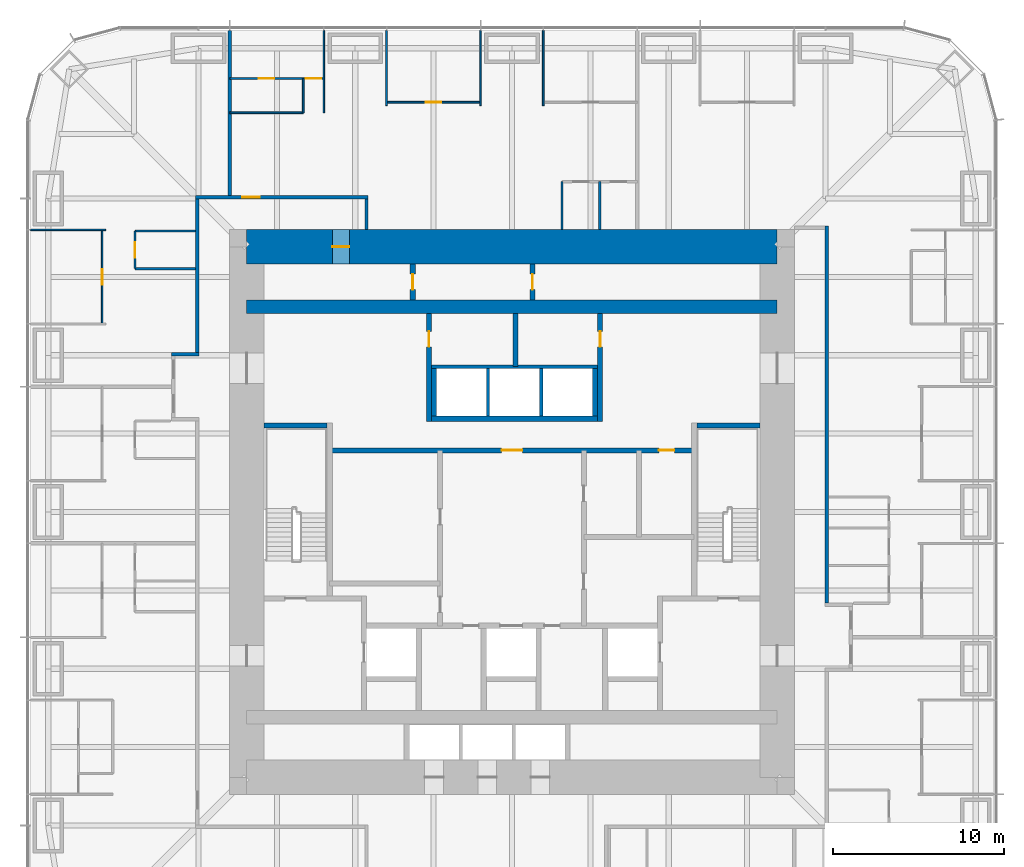
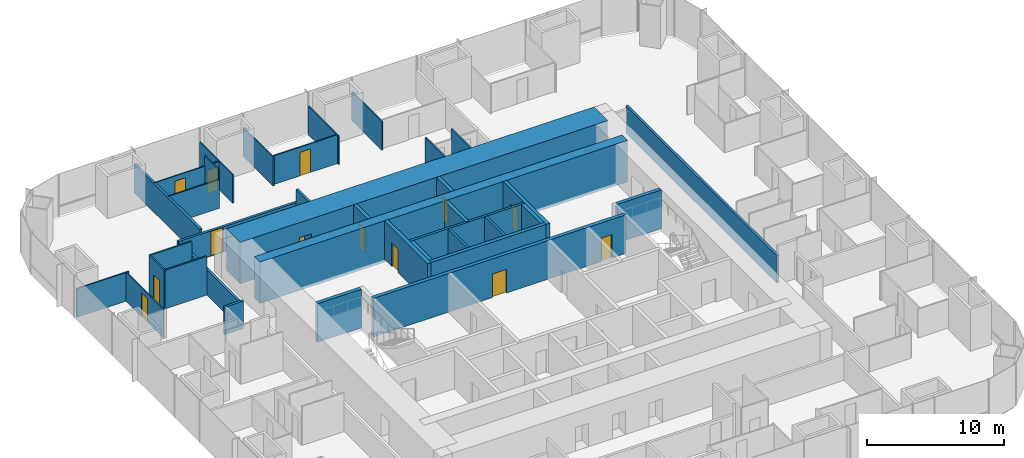
# One storey, part 10 of 12: 37 walls, 13 doors, 13 openings.
"""IFC4 building model written with IfcOpenShell, lengths in metres."""

from ifc_helpers import new_model, si_unit, direction, frame, frame_2d, origin, place, context, subcontext, project, spatial, rectangle, extrude, material, layer, layer_set, type_object, element, fill, save


model = new_model("IFC4")

# Units and contexts
model_context = context("Model", 3, precision=1e-05, world=origin(), true_north=direction((0.0, 1.0)))
body_context = subcontext(model_context, "Body", "Model", "MODEL_VIEW")
ifc_project = project(units=[si_unit("LENGTHUNIT", "METRE"), si_unit("AREAUNIT", "SQUARE_METRE"), si_unit("VOLUMEUNIT", "CUBIC_METRE"), si_unit("PLANEANGLEUNIT", "RADIAN"), si_unit("MASSUNIT", "GRAM", prefix="KILO")], contexts=[model_context])

# Site, building, storey
site_placement = place(None, origin())
site = spatial("IfcSite", under=ifc_project, at=site_placement, CompositionType="ELEMENT")
building_placement = place(site_placement, origin())
building = spatial("IfcBuilding", under=site, at=building_placement, Name="Khuree Lantern Residences", CompositionType="ELEMENT")
storey_placement = place(building_placement, frame((0.0, 0.0, 182.25)))
storey = spatial("IfcBuildingStorey", under=building, at=storey_placement, Name="L46", CompositionType="ELEMENT", Elevation=182.25)

# Walls
ifc_material_1 = material(Name="Moisture-resistant gypsum board on steel studs", Category="steel")
ifc_layer_1 = layer(ifc_material_1, 0.125)
ifc_layer_set_1 = layer_set([ifc_layer_1], Name="BATHROOM WALL BTW125")
wall_type_1 = type_object("IfcWallType", Name="BATHROOM WALL BTW125", PredefinedType="PARTITIONING", material=ifc_layer_set_1)
for number, where, z_axis, x_axis, name in (
    (1, (5.1279296875, 16.5, 0.0), (0.0, 0.0, 1.0), (0.0, 1.0, 0.0), "L46 BATHROOM WALL 02"),
    (2, (2.927978515625, 16.5, 0.0), (0.0, 0.0, 1.0), (0.0, 1.0, 0.0), "L46 BATHROOM WALL 02"),
):
    element("IfcWall", number, at=place(storey_placement, frame(where, z_axis=z_axis, x_axis=x_axis)), inside=storey, type_object=wall_type_1, Name=name, PredefinedType="PARTITIONING", context=body_context, shape_type="SweptSolid", body=[
        extrude(rectangle(XDim=2.800048828125, YDim=0.125, at=frame_2d((1.39990234375, 0.0))), origin(), (0.0, 0.0, 1.0), 3.449951171875),
    ])

# Wall, opening, door
wall_1_placement = place(storey_placement, frame((-22.02978515625, 16.41650390625, 0.0), z_axis=(0.0, 0.0, 1.0), x_axis=(0.0, -1.0, 0.0)))
wall_1 = element("IfcWall", 3, at=wall_1_placement, inside=storey, type_object=wall_type_1, Name="L46 BATHROOM WALL 03", PredefinedType="PARTITIONING", context=body_context, shape_type="SweptSolid", body=[
    extrude(rectangle(XDim=2.199951171875, YDim=0.125, at=frame_2d((1.10009765625, 0.0))), origin(), (0.0, 0.0, 1.0), 3.449951171875),
])
opening_1_placement = place(wall_1_placement, frame((0.64990234375, 0.0, 0.0)))
opening_1 = element("IfcOpeningElement", 4, at=opening_1_placement, cuts=wall_1, Name="Opening 46-043", PredefinedType="OPENING", context=body_context, shape_type="SweptSolid", body=[
    extrude(rectangle(XDim=0.89990234375, YDim=2.10009765625, at=frame_2d((0.449951171875, 1.050048828125))), frame((0.0, 0.072509765625, 0.0), z_axis=(0.0, -1.0, 0.0), x_axis=(1.0, 0.0, 0.0)), (0.0, 0.0, 1.0), 0.14501953125),
])
ifc_material_2 = material(Name="Timber door leaf in hardwood frame", Category="wood")
door_type_1 = type_object("IfcDoorType", Name="BATHROOM DOOR 900X2100", OperationType="SINGLE_SWING_LEFT", PredefinedType="DOOR", material=ifc_material_2)
door_1_placement = place(opening_1_placement, origin())
door_1 = element("IfcDoor", 5, at=door_1_placement, inside=storey, type_object=door_type_1, Name="Bathroom door 46-043", OperationType="SINGLE_SWING_LEFT", OverallHeight=2.10009765625, OverallWidth=0.89990234375, PredefinedType="DOOR", context=body_context, shape_type="SweptSolid", body=[
    extrude(rectangle(XDim=0.89990234375, YDim=2.10009765625, at=frame_2d((0.449951171875, 1.050048828125))), frame((0.0, 0.02490234375, 0.0), z_axis=(0.0, -1.0, 0.0), x_axis=(1.0, 0.0, 0.0)), (0.0, 0.0, 1.0), 0.050048828125),
])
fill(opening_1, door_1)

# Walls
for number, where, z_axis, x_axis, name in (
    (6, (-18.5, 16.41650390625, 0.0), (0.0, 0.0, 1.0), (-1.0, 0.0, 0.0), "L46 BATHROOM WALL 03"),
    (7, (-18.5, 14.216552734375, 0.0), (0.0, 0.0, 1.0), (-1.0, 0.0, 0.0), "L46 BATHROOM WALL 03"),
):
    element("IfcWall", number, at=place(storey_placement, frame(where, z_axis=z_axis, x_axis=x_axis)), inside=storey, type_object=wall_type_1, Name=name, PredefinedType="PARTITIONING", context=body_context, shape_type="SweptSolid", body=[
        extrude(rectangle(XDim=3.52978515625, YDim=0.125, at=frame_2d((1.764892578125, 0.0))), origin(), (0.0, 0.0, 1.0), 3.449951171875),
    ])
ifc_material_3 = material(Name="Dense concrete blockwork", Category="masonry")
ifc_layer_2 = layer(ifc_material_3, 0.300048828125)
ifc_layer_set_2 = layer_set([ifc_layer_2], Name="CORE PARTITION WALL CPW300 EI 120")
wall_type_2 = type_object("IfcWallType", Name="CORE PARTITION WALL CPW300 EI 120", PredefinedType="PARTITIONING", material=ifc_layer_set_2)
wall_2_placement = place(storey_placement, frame((-4.699951171875, 5.449951171875, 0.0), z_axis=(0.0, 0.0, 1.0), x_axis=(1.0, 0.0, 0.0)))
element("IfcWall", 8, at=wall_2_placement, inside=storey, type_object=wall_type_2, Name="L46 CORE WALL PHS", PredefinedType="PARTITIONING", context=body_context, shape_type="SweptSolid", body=[
    extrude(rectangle(XDim=9.699951171875, YDim=0.300048828125, at=frame_2d((4.85009765625, 0.0))), origin(), (0.0, 0.0, 1.0), 3.449951171875),
])
for number, where, z_axis, x_axis, name in (
    (9, (-4.550048828125, 5.60009765625, 0.0), (0.0, 0.0, 1.0), (0.0, 1.0, 0.0), "L46 CORE WALL PHW"),
    (10, (4.85009765625, 5.60009765625, 0.0), (0.0, 0.0, 1.0), (0.0, 1.0, 0.0), "L46 CORE WALL PHE"),
):
    element("IfcWall", number, at=place(storey_placement, frame(where, z_axis=z_axis, x_axis=x_axis)), inside=storey, type_object=wall_type_2, Name=name, PredefinedType="PARTITIONING", context=body_context, shape_type="SweptSolid", body=[
        extrude(rectangle(XDim=2.7998046875, YDim=0.300048828125, at=frame_2d((1.39990234375, 0.0))), origin(), (0.0, 0.0, 1.0), 3.449951171875),
    ])

# Wall, openings, doors
wall_3_placement = place(storey_placement, frame((-10.64990234375, 3.60009765625, 0.0), z_axis=(0.0, 0.0, 1.0), x_axis=(1.0, 0.0, 0.0)))
wall_3 = element("IfcWall", 11, at=wall_3_placement, inside=storey, type_object=wall_type_2, Name="L46 CORE WALL LLS", PredefinedType="PARTITIONING", context=body_context, shape_type="SweptSolid", body=[
    extrude(rectangle(XDim=21.2998046875, YDim=0.300048828125, at=frame_2d((10.64990234375, 0.0))), origin(), (0.0, 0.0, 1.0), 3.449951171875),
])
opening_2_placement = place(wall_3_placement, frame((10.050048828125, 0.0, 0.0)))
opening_2 = element("IfcOpeningElement", 12, at=opening_2_placement, cuts=wall_3, Name="Opening 46-013", PredefinedType="OPENING", context=body_context, shape_type="SweptSolid", body=[
    extrude(rectangle(XDim=1.199951171875, YDim=2.10009765625, at=frame_2d((0.60009765625, 1.050048828125))), frame((0.0, 0.16015625, 0.0), z_axis=(0.0, -1.0, 0.0), x_axis=(1.0, 0.0, 0.0)), (0.0, 0.0, 1.0), 0.320068359375),
])
opening_3_placement = place(wall_3_placement, frame((19.238037109375, 0.0, 0.0)))
opening_3 = element("IfcOpeningElement", 13, at=opening_3_placement, cuts=wall_3, Name="Opening 46-020", PredefinedType="OPENING", context=body_context, shape_type="SweptSolid", body=[
    extrude(rectangle(XDim=0.89990234375, YDim=2.10009765625, at=frame_2d((0.449951171875, 1.050048828125))), frame((0.0, 0.16015625, 0.0), z_axis=(0.0, -1.0, 0.0), x_axis=(1.0, 0.0, 0.0)), (0.0, 0.0, 1.0), 0.320068359375),
])
ifc_material_4 = material(Name="Steel door leaf in steel frame", Category="steel")
door_type_2 = type_object("IfcDoorType", Name="DOOR 1200X2100 EI 60", OperationType="SINGLE_SWING_LEFT", PredefinedType="DOOR", material=ifc_material_4)
door_2_placement = place(opening_2_placement, origin())
door_2 = element("IfcDoor", 14, at=door_2_placement, inside=storey, type_object=door_type_2, Name="Service lift lobby door 46-013", OperationType="SINGLE_SWING_LEFT", OverallHeight=2.10009765625, OverallWidth=1.199951171875, PredefinedType="DOOR", context=body_context, shape_type="SweptSolid", body=[
    extrude(rectangle(XDim=1.199951171875, YDim=2.10009765625, at=frame_2d((0.60009765625, 1.050048828125))), frame((0.0, 0.02490234375, 0.0), z_axis=(0.0, -1.0, 0.0), x_axis=(1.0, 0.0, 0.0)), (0.0, 0.0, 1.0), 0.050048828125),
])
fill(opening_2, door_2)
door_type_3 = type_object("IfcDoorType", Name="DOOR 900X2100 RIGHT HAND", OperationType="SINGLE_SWING_RIGHT", PredefinedType="DOOR", material=ifc_material_2)
door_3_placement = place(opening_3_placement, origin())
door_3 = element("IfcDoor", 15, at=door_3_placement, inside=storey, type_object=door_type_3, Name="Refuse holding room door 46-020", OperationType="SINGLE_SWING_RIGHT", OverallHeight=2.10009765625, OverallWidth=0.89990234375, PredefinedType="DOOR", context=body_context, shape_type="SweptSolid", body=[
    extrude(rectangle(XDim=0.89990234375, YDim=2.10009765625, at=frame_2d((0.449951171875, 1.050048828125))), frame((0.0, 0.02490234375, 0.0), z_axis=(0.0, -1.0, 0.0), x_axis=(1.0, 0.0, 0.0)), (0.0, 0.0, 1.0), 0.050048828125),
])
fill(opening_3, door_3)

# Wall, opening, door
wall_4_placement = place(storey_placement, frame((-4.85009765625, 5.300048828125, 0.0), z_axis=(0.0, 0.0, 1.0), x_axis=(0.0, 1.0, 0.0)))
wall_4 = element("IfcWall", 16, at=wall_4_placement, inside=storey, type_object=wall_type_2, Name="L46 CORE WALL NW", PredefinedType="PARTITIONING", context=body_context, shape_type="SweptSolid", body=[
    extrude(rectangle(XDim=6.300048828125, YDim=0.300048828125, at=frame_2d((3.14990234375, 0.0))), origin(), (0.0, 0.0, 1.0), 3.449951171875),
])
opening_4_placement = place(wall_4_placement, frame((4.35009765625, 0.0, 0.0)))
opening_4 = element("IfcOpeningElement", 17, at=opening_4_placement, cuts=wall_4, Name="Opening 46-021", PredefinedType="OPENING", context=body_context, shape_type="SweptSolid", body=[
    extrude(rectangle(XDim=0.89990234375, YDim=2.10009765625, at=frame_2d((0.449951171875, 1.050048828125))), frame((0.0, 0.16015625, 0.0), z_axis=(0.0, -1.0, 0.0), x_axis=(1.0, 0.0, 0.0)), (0.0, 0.0, 1.0), 0.320068359375),
])
door_4_placement = place(opening_4_placement, origin())
door_4 = element("IfcDoor", 18, at=door_4_placement, inside=storey, type_object=door_type_3, Name="Housekeeping store door 46-021", OperationType="SINGLE_SWING_RIGHT", OverallHeight=2.10009765625, OverallWidth=0.89990234375, PredefinedType="DOOR", context=body_context, shape_type="SweptSolid", body=[
    extrude(rectangle(XDim=0.89990234375, YDim=2.10009765625, at=frame_2d((0.449951171875, 1.050048828125))), frame((0.0, 0.02490234375, 0.0), z_axis=(0.0, -1.0, 0.0), x_axis=(1.0, 0.0, 0.0)), (0.0, 0.0, 1.0), 0.050048828125),
])
fill(opening_4, door_4)

wall_5_placement = place(storey_placement, frame((5.14990234375, 5.300048828125, 0.0), z_axis=(0.0, 0.0, 1.0), x_axis=(0.0, 1.0, 0.0)))
wall_5 = element("IfcWall", 19, at=wall_5_placement, inside=storey, type_object=wall_type_2, Name="L46 CORE WALL NE", PredefinedType="PARTITIONING", context=body_context, shape_type="SweptSolid", body=[
    extrude(rectangle(XDim=6.300048828125, YDim=0.300048828125, at=frame_2d((3.14990234375, 0.0))), origin(), (0.0, 0.0, 1.0), 3.449951171875),
])
opening_5_placement = place(wall_5_placement, frame((4.35009765625, 0.0, 0.0)))
opening_5 = element("IfcOpeningElement", 20, at=opening_5_placement, cuts=wall_5, Name="Opening 46-022", PredefinedType="OPENING", context=body_context, shape_type="SweptSolid", body=[
    extrude(rectangle(XDim=0.89990234375, YDim=2.10009765625, at=frame_2d((0.449951171875, 1.050048828125))), frame((0.0, 0.16015625, 0.0), z_axis=(0.0, -1.0, 0.0), x_axis=(1.0, 0.0, 0.0)), (0.0, 0.0, 1.0), 0.320068359375),
])
door_type_4 = type_object("IfcDoorType", Name="DOOR 900X2100", OperationType="SINGLE_SWING_LEFT", PredefinedType="DOOR", material=ifc_material_2)
door_5_placement = place(opening_5_placement, origin())
door_5 = element("IfcDoor", 21, at=door_5_placement, inside=storey, type_object=door_type_4, Name="Building management room door 46-022", OperationType="SINGLE_SWING_LEFT", OverallHeight=2.10009765625, OverallWidth=0.89990234375, PredefinedType="DOOR", context=body_context, shape_type="SweptSolid", body=[
    extrude(rectangle(XDim=0.89990234375, YDim=2.10009765625, at=frame_2d((0.449951171875, 1.050048828125))), frame((0.0, 0.02490234375, 0.0), z_axis=(0.0, -1.0, 0.0), x_axis=(1.0, 0.0, 0.0)), (0.0, 0.0, 1.0), 0.050048828125),
])
fill(opening_5, door_5)

# Wall
wall_6_placement = place(storey_placement, frame((0.199951171875, 8.5, 0.0), z_axis=(0.0, 0.0, 1.0), x_axis=(0.0, 1.0, 0.0)))
element("IfcWall", 22, at=wall_6_placement, inside=storey, type_object=wall_type_2, Name="L46 CORE WALL NX", PredefinedType="PARTITIONING", context=body_context, shape_type="SweptSolid", body=[
    extrude(rectangle(XDim=3.10009765625, YDim=0.300048828125, at=frame_2d((1.550048828125, 0.0))), origin(), (0.0, 0.0, 1.0), 3.449951171875),
])

# Wall, opening, door
wall_7_placement = place(storey_placement, frame((-5.800048828125, 12.39990234375, 0.0), z_axis=(0.0, 0.0, 1.0), x_axis=(0.0, 1.0, 0.0)))
wall_7 = element("IfcWall", 23, at=wall_7_placement, inside=storey, type_object=wall_type_2, Name="L46 CORE WALL PLX", PredefinedType="PARTITIONING", context=body_context, shape_type="SweptSolid", body=[
    extrude(rectangle(XDim=2.10009765625, YDim=0.300048828125, at=frame_2d((1.050048828125, 0.0))), origin(), (0.0, 0.0, 1.0), 3.449951171875),
])
opening_6_placement = place(wall_7_placement, frame((0.60009765625, 0.0, 0.0)))
opening_6 = element("IfcOpeningElement", 24, at=opening_6_placement, cuts=wall_7, Name="Opening 46-023", PredefinedType="OPENING", context=body_context, shape_type="SweptSolid", body=[
    extrude(rectangle(XDim=0.89990234375, YDim=2.10009765625, at=frame_2d((0.449951171875, 1.050048828125))), frame((0.0, 0.16015625, 0.0), z_axis=(0.0, -1.0, 0.0), x_axis=(1.0, 0.0, 0.0)), (0.0, 0.0, 1.0), 0.320068359375),
])
door_6_placement = place(opening_6_placement, origin())
door_6 = element("IfcDoor", 25, at=door_6_placement, inside=storey, type_object=door_type_4, Name="Cleaner's store door 46-023", OperationType="SINGLE_SWING_LEFT", OverallHeight=2.10009765625, OverallWidth=0.89990234375, PredefinedType="DOOR", context=body_context, shape_type="SweptSolid", body=[
    extrude(rectangle(XDim=0.89990234375, YDim=2.10009765625, at=frame_2d((0.449951171875, 1.050048828125))), frame((0.0, 0.02490234375, 0.0), z_axis=(0.0, -1.0, 0.0), x_axis=(1.0, 0.0, 0.0)), (0.0, 0.0, 1.0), 0.050048828125),
])
fill(opening_6, door_6)

wall_8_placement = place(storey_placement, frame((1.199951171875, 12.39990234375, 0.0), z_axis=(0.0, 0.0, 1.0), x_axis=(0.0, 1.0, 0.0)))
wall_8 = element("IfcWall", 26, at=wall_8_placement, inside=storey, type_object=wall_type_2, Name="L46 CORE WALL PLY", PredefinedType="PARTITIONING", context=body_context, shape_type="SweptSolid", body=[
    extrude(rectangle(XDim=2.10009765625, YDim=0.300048828125, at=frame_2d((1.050048828125, 0.0))), origin(), (0.0, 0.0, 1.0), 3.449951171875),
])
opening_7_placement = place(wall_8_placement, frame((0.60009765625, 0.0, 0.0)))
opening_7 = element("IfcOpeningElement", 27, at=opening_7_placement, cuts=wall_8, Name="Opening 46-024", PredefinedType="OPENING", context=body_context, shape_type="SweptSolid", body=[
    extrude(rectangle(XDim=0.89990234375, YDim=2.10009765625, at=frame_2d((0.449951171875, 1.050048828125))), frame((0.0, 0.16015625, 0.0), z_axis=(0.0, -1.0, 0.0), x_axis=(1.0, 0.0, 0.0)), (0.0, 0.0, 1.0), 0.320068359375),
])
door_7_placement = place(opening_7_placement, origin())
door_7 = element("IfcDoor", 28, at=door_7_placement, inside=storey, type_object=door_type_4, Name="Spares store door 46-024", OperationType="SINGLE_SWING_LEFT", OverallHeight=2.10009765625, OverallWidth=0.89990234375, PredefinedType="DOOR", context=body_context, shape_type="SweptSolid", body=[
    extrude(rectangle(XDim=0.89990234375, YDim=2.10009765625, at=frame_2d((0.449951171875, 1.050048828125))), frame((0.0, 0.02490234375, 0.0), z_axis=(0.0, -1.0, 0.0), x_axis=(1.0, 0.0, 0.0)), (0.0, 0.0, 1.0), 0.050048828125),
])
fill(opening_7, door_7)

ifc_material_5 = material(Name="Gypsum board on steel studs", Category="steel")
ifc_layer_3 = layer(ifc_material_5, 0.199951171875)
ifc_layer_set_3 = layer_set([ifc_layer_3], Name="CORRIDOR WALL CRW200 EI 60")
wall_type_3 = type_object("IfcWallType", Name="CORRIDOR WALL CRW200 EI 60", PredefinedType="PARTITIONING", material=ifc_layer_set_3)
wall_9_placement = place(storey_placement, frame((-18.5, 18.39990234375, 0.0), z_axis=(0.0, 0.0, 1.0), x_axis=(1.0, 0.0, 0.0)))
wall_9 = element("IfcWall", 29, at=wall_9_placement, inside=storey, type_object=wall_type_3, Name="L46 CORRIDOR WALL NORTH", PredefinedType="PARTITIONING", context=body_context, shape_type="SweptSolid", body=[
    extrude(rectangle(XDim=10.10009765625, YDim=0.199951171875, at=frame_2d((5.050048828125, 0.0))), origin(), (0.0, 0.0, 1.0), 2.25),
])
opening_8_placement = place(wall_9_placement, frame((2.75, 0.0, 0.0)))
opening_8 = element("IfcOpeningElement", 30, at=opening_8_placement, cuts=wall_9, Name="Opening 46-041", PredefinedType="OPENING", context=body_context, shape_type="SweptSolid", body=[
    extrude(rectangle(XDim=1.0, YDim=2.199951171875, at=frame_2d((0.5, 1.10009765625))), frame((0.0, 0.10986328125, 0.0), z_axis=(0.0, -1.0, 0.0), x_axis=(1.0, 0.0, 0.0)), (0.0, 0.0, 1.0), 0.219970703125),
])
door_type_5 = type_object("IfcDoorType", Name="APARTMENT ENTRANCE DOOR 1000X2200 EI 30S", OperationType="SINGLE_SWING_LEFT", PredefinedType="DOOR", material=ifc_material_2)
door_8_placement = place(opening_8_placement, origin())
door_8 = element("IfcDoor", 31, at=door_8_placement, inside=storey, type_object=door_type_5, Name="Apartment 02 entrance door 46-041", OperationType="SINGLE_SWING_LEFT", OverallHeight=2.199951171875, OverallWidth=1.0, PredefinedType="DOOR", context=body_context, shape_type="SweptSolid", body=[
    extrude(rectangle(XDim=1.0, YDim=2.199951171875, at=frame_2d((0.5, 1.10009765625))), frame((0.0, 0.02490234375, 0.0), z_axis=(0.0, -1.0, 0.0), x_axis=(1.0, 0.0, 0.0)), (0.0, 0.0, 1.0), 0.050048828125),
])
fill(opening_8, door_8)

# Walls
wall_10_placement = place(storey_placement, frame((-8.5, 18.300048828125, 0.0), z_axis=(0.0, 0.0, 1.0), x_axis=(0.0, -1.0, 0.0)))
element("IfcWall", 32, at=wall_10_placement, inside=storey, type_object=wall_type_3, Name="L46 NORTH CORRIDOR END WALL", PredefinedType="PARTITIONING", context=body_context, shape_type="SweptSolid", body=[
    extrude(rectangle(XDim=1.800048828125, YDim=0.199951171875, at=frame_2d((0.89990234375, 0.0))), origin(), (0.0, 0.0, 1.0), 3.449951171875),
])
wall_11_placement = place(storey_placement, frame((18.39990234375, -5.327880859375, 0.0), z_axis=(0.0, 0.0, 1.0), x_axis=(0.0, 1.0, 0.0)))
element("IfcWall", 33, at=wall_11_placement, inside=storey, type_object=wall_type_3, Name="L46 CORRIDOR WALL EAST 2", PredefinedType="PARTITIONING", context=body_context, shape_type="SweptSolid", body=[
    extrude(rectangle(XDim=22.02783203125, YDim=0.199951171875, at=frame_2d((11.013916015625, 0.0))), origin(), (0.0, 0.0, 1.0), 2.449951171875),
])
wall_12_placement = place(storey_placement, frame((-18.39990234375, 18.300048828125, 0.0), z_axis=(0.0, 0.0, 1.0), x_axis=(0.0, -1.0, 0.0)))
element("IfcWall", 34, at=wall_12_placement, inside=storey, type_object=wall_type_3, Name="L46 CORRIDOR WALL WEST 1", PredefinedType="PARTITIONING", context=body_context, shape_type="SweptSolid", body=[
    extrude(rectangle(XDim=8.97216796875, YDim=0.199951171875, at=frame_2d((4.486083984375, 0.0))), origin(), (0.0, 0.0, 1.0), 2.25),
])
wall_13_placement = place(storey_placement, frame((-18.300048828125, 9.22802734375, 0.0), z_axis=(0.0, 0.0, 1.0), x_axis=(-1.0, 0.0, 0.0)))
element("IfcWall", 35, at=wall_13_placement, inside=storey, type_object=wall_type_3, Name="L46 CORRIDOR ALCOVE WALL WEST", PredefinedType="PARTITIONING", context=body_context, shape_type="SweptSolid", body=[
    extrude(rectangle(XDim=1.599853515625, YDim=0.199951171875, at=frame_2d((0.7998046875, 0.0))), origin(), (0.0, 0.0, 1.0), 2.449951171875),
])

# Wall, opening, door
ifc_material_6 = material(Name="Concrete C70/85", Category="concrete")
ifc_layer_4 = layer(ifc_material_6, 2.0)
ifc_layer_set_4 = layer_set([ifc_layer_4], Name="CW2000-C70 CORE WALL C70 2000")
wall_type_4 = type_object("IfcWallType", Name="CW2000-C70 CORE WALL C70 2000", PredefinedType="SHEAR", material=ifc_layer_set_4)
wall_14_placement = place(storey_placement, frame((-15.5, 15.5, -0.25), z_axis=(0.0, 0.0, 1.0), x_axis=(1.0, 0.0, 0.0)))
wall_14 = element("IfcWall", 36, at=wall_14_placement, inside=storey, type_object=wall_type_4, Name="Core wall N", PredefinedType="SHEAR", context=body_context, shape_type="SweptSolid", body=[
    extrude(rectangle(XDim=31.0, YDim=2.0, at=frame_2d((15.5, 0.0))), origin(), (0.0, 0.0, 1.0), 3.699951171875),
])
opening_9_placement = place(wall_14_placement, frame((5.0, 0.0, 0.25)))
opening_9 = element("IfcOpeningElement", 37, at=opening_9_placement, cuts=wall_14, Name="Opening 46-025", PredefinedType="OPENING", context=body_context, shape_type="SweptSolid", body=[
    extrude(rectangle(XDim=1.0, YDim=2.10009765625, at=frame_2d((0.5, 1.050048828125))), frame((0.0, 1.010009765625, 0.0), z_axis=(0.0, -1.0, 0.0), x_axis=(1.0, 0.0, 0.0)), (0.0, 0.0, 1.0), 2.02001953125),
])
door_type_6 = type_object("IfcDoorType", Name="DOOR 1000X2100 EI 60 RIGHT HAND", OperationType="SINGLE_SWING_RIGHT", PredefinedType="DOOR", material=ifc_material_4)
door_9_placement = place(opening_9_placement, origin())
door_9 = element("IfcDoor", 38, at=door_9_placement, inside=storey, type_object=door_type_6, Name="Residents' store door 46-025", OperationType="SINGLE_SWING_RIGHT", OverallHeight=2.10009765625, OverallWidth=1.0, PredefinedType="DOOR", context=body_context, shape_type="SweptSolid", body=[
    extrude(rectangle(XDim=1.0, YDim=2.10009765625, at=frame_2d((0.5, 1.050048828125))), frame((0.0, 0.02490234375, 0.0), z_axis=(0.0, -1.0, 0.0), x_axis=(1.0, 0.0, 0.0)), (0.0, 0.0, 1.0), 0.050048828125),
])
fill(opening_9, door_9)

# Walls
ifc_layer_5 = layer(ifc_material_5, 0.199951171875)
ifc_layer_set_5 = layer_set([ifc_layer_5], Name="DEMISING WALL DMW200 EI 90")
wall_type_5 = type_object("IfcWallType", Name="DEMISING WALL DMW200 EI 90", PredefinedType="PARTITIONING", material=ifc_layer_set_5)
wall_15_placement = place(storey_placement, frame((-16.488037109375, 18.5, 0.0), z_axis=(0.0, 0.0, 1.0), x_axis=(0.0, 1.0, 0.0)))
element("IfcWall", 39, at=wall_15_placement, inside=storey, type_object=wall_type_5, Name="L46 DEMISING WALL 03", PredefinedType="PARTITIONING", context=body_context, shape_type="SweptSolid", body=[
    extrude(rectangle(XDim=9.64990234375, YDim=0.199951171875, at=frame_2d((4.824951171875, 0.0))), origin(), (0.0, 0.0, 1.0), 2.56005859375),
])
ifc_layer_6 = layer(ifc_material_5, 0.10009765625)
ifc_layer_set_6 = layer_set([ifc_layer_6], Name="PARTITION PT100")
wall_type_6 = type_object("IfcWallType", Name="PARTITION PT100", PredefinedType="PARTITIONING", material=ifc_layer_set_6)
for number, where, z_axis, x_axis, name in (
    (40, (1.83203125, 23.75, 0.0), (0.0, 0.0, 1.0), (0.0, 1.0, 0.0), "L46 PARTITION 02"),
    (41, (-1.83203125, 23.75, 0.0), (0.0, 0.0, 1.0), (0.0, 1.0, 0.0), "L46 PARTITION 02"),
    (42, (-7.327880859375, 23.75, 0.0), (0.0, 0.0, 1.0), (0.0, 1.0, 0.0), "L46 PARTITION 02"),
):
    element("IfcWall", number, at=place(storey_placement, frame(where, z_axis=z_axis, x_axis=x_axis)), inside=storey, type_object=wall_type_6, Name=name, PredefinedType="PARTITIONING", context=body_context, shape_type="SweptSolid", body=[
        extrude(rectangle(XDim=4.39990234375, YDim=0.10009765625, at=frame_2d((2.199951171875, 0.0))), origin(), (0.0, 0.0, 1.0), 2.56005859375),
    ])
wall_16_placement = place(storey_placement, frame((-10.991943359375, 23.329833984375, 0.0), z_axis=(0.0, 0.0, 1.0), x_axis=(0.0, 1.0, 0.0)))
element("IfcWall", 43, at=wall_16_placement, inside=storey, type_object=wall_type_6, Name="L46 PARTITION 02", PredefinedType="PARTITIONING", context=body_context, shape_type="SweptSolid", body=[
    extrude(rectangle(XDim=4.820068359375, YDim=0.10009765625, at=frame_2d((2.41015625, 0.0))), origin(), (0.0, 0.0, 1.0), 2.56005859375),
])
wall_17_placement = place(storey_placement, frame((-23.75, 16.488037109375, 0.0), z_axis=(0.0, 0.0, 1.0), x_axis=(-1.0, 0.0, 0.0)))
element("IfcWall", 44, at=wall_17_placement, inside=storey, type_object=wall_type_6, Name="L46 PARTITION 03", PredefinedType="PARTITIONING", context=body_context, shape_type="SweptSolid", body=[
    extrude(rectangle(XDim=4.39990234375, YDim=0.10009765625, at=frame_2d((2.199951171875, 0.0))), origin(), (0.0, 0.0, 1.0), 2.56005859375),
])

# Wall, opening, door
wall_18_placement = place(storey_placement, frame((-1.83203125, 23.949951171875, 0.0), z_axis=(0.0, 0.0, 1.0), x_axis=(-1.0, 0.0, 0.0)))
wall_18 = element("IfcWall", 45, at=wall_18_placement, inside=storey, type_object=wall_type_6, Name="L46 PARTITION 02", PredefinedType="PARTITIONING", context=body_context, shape_type="SweptSolid", body=[
    extrude(rectangle(XDim=5.495849609375, YDim=0.10009765625, at=frame_2d((2.748046875, 0.0))), origin(), (0.0, 0.0, 1.0), 2.56005859375),
])
opening_10_placement = place(wall_18_placement, frame((2.298095703125, 0.0, 0.0)))
opening_10 = element("IfcOpeningElement", 46, at=opening_10_placement, cuts=wall_18, Name="Opening 46-036", PredefinedType="OPENING", context=body_context, shape_type="SweptSolid", body=[
    extrude(rectangle(XDim=0.89990234375, YDim=2.10009765625, at=frame_2d((0.449951171875, 1.050048828125))), frame((0.0, 0.06005859375, 0.0), z_axis=(0.0, -1.0, 0.0), x_axis=(1.0, 0.0, 0.0)), (0.0, 0.0, 1.0), 0.1201171875),
])
door_type_7 = type_object("IfcDoorType", Name="BEDROOM DOOR 900X2100", OperationType="SINGLE_SWING_LEFT", PredefinedType="DOOR", material=ifc_material_2)
door_10_placement = place(opening_10_placement, origin())
door_10 = element("IfcDoor", 47, at=door_10_placement, inside=storey, type_object=door_type_7, Name="Bedroom door 46-036", OperationType="SINGLE_SWING_LEFT", OverallHeight=2.10009765625, OverallWidth=0.89990234375, PredefinedType="DOOR", context=body_context, shape_type="SweptSolid", body=[
    extrude(rectangle(XDim=0.89990234375, YDim=2.10009765625, at=frame_2d((0.449951171875, 1.050048828125))), frame((0.0, 0.02490234375, 0.0), z_axis=(0.0, -1.0, 0.0), x_axis=(1.0, 0.0, 0.0)), (0.0, 0.0, 1.0), 0.050048828125),
])
fill(opening_10, door_10)

# Wall, openings, doors
wall_19_placement = place(storey_placement, frame((-10.991943359375, 25.329833984375, 0.0), z_axis=(0.0, 0.0, 1.0), x_axis=(-1.0, 0.0, 0.0)))
wall_19 = element("IfcWall", 48, at=wall_19_placement, inside=storey, type_object=wall_type_6, Name="L46 PARTITION 02", PredefinedType="PARTITIONING", context=body_context, shape_type="SweptSolid", body=[
    extrude(rectangle(XDim=5.49609375, YDim=0.10009765625, at=frame_2d((2.748046875, 0.0))), origin(), (0.0, 0.0, 1.0), 2.56005859375),
])
opening_11_placement = place(wall_19_placement, frame((0.14990234375, 0.0, 0.0)))
opening_11 = element("IfcOpeningElement", 49, at=opening_11_placement, cuts=wall_19, Name="Opening 46-037", PredefinedType="OPENING", context=body_context, shape_type="SweptSolid", body=[
    extrude(rectangle(XDim=0.89990234375, YDim=2.10009765625, at=frame_2d((0.449951171875, 1.050048828125))), frame((0.0, 0.06005859375, 0.0), z_axis=(0.0, -1.0, 0.0), x_axis=(1.0, 0.0, 0.0)), (0.0, 0.0, 1.0), 0.1201171875),
])
opening_12_placement = place(wall_19_placement, frame((2.89794921875, 0.0, 0.0)))
opening_12 = element("IfcOpeningElement", 50, at=opening_12_placement, cuts=wall_19, Name="Opening 46-038", PredefinedType="OPENING", context=body_context, shape_type="SweptSolid", body=[
    extrude(rectangle(XDim=0.89990234375, YDim=2.10009765625, at=frame_2d((0.449951171875, 1.050048828125))), frame((0.0, 0.06005859375, 0.0), z_axis=(0.0, -1.0, 0.0), x_axis=(1.0, 0.0, 0.0)), (0.0, 0.0, 1.0), 0.1201171875),
])
door_11_placement = place(opening_11_placement, origin())
door_11 = element("IfcDoor", 51, at=door_11_placement, inside=storey, type_object=door_type_7, Name="Bedroom door 46-037", OperationType="SINGLE_SWING_LEFT", OverallHeight=2.10009765625, OverallWidth=0.89990234375, PredefinedType="DOOR", context=body_context, shape_type="SweptSolid", body=[
    extrude(rectangle(XDim=0.89990234375, YDim=2.10009765625, at=frame_2d((0.449951171875, 1.050048828125))), frame((0.0, 0.02490234375, 0.0), z_axis=(0.0, -1.0, 0.0), x_axis=(1.0, 0.0, 0.0)), (0.0, 0.0, 1.0), 0.050048828125),
])
fill(opening_11, door_11)
door_12_placement = place(opening_12_placement, origin())
door_12 = element("IfcDoor", 52, at=door_12_placement, inside=storey, type_object=door_type_3, Name="Wardrobe door 46-038", OperationType="SINGLE_SWING_RIGHT", OverallHeight=2.10009765625, OverallWidth=0.89990234375, PredefinedType="DOOR", context=body_context, shape_type="SweptSolid", body=[
    extrude(rectangle(XDim=0.89990234375, YDim=2.10009765625, at=frame_2d((0.449951171875, 1.050048828125))), frame((0.0, 0.02490234375, 0.0), z_axis=(0.0, -1.0, 0.0), x_axis=(1.0, 0.0, 0.0)), (0.0, 0.0, 1.0), 0.050048828125),
])
fill(opening_12, door_12)

# Walls
wall_20_placement = place(storey_placement, frame((-12.19189453125, 23.329833984375, 0.0), z_axis=(0.0, 0.0, 1.0), x_axis=(0.0, 1.0, 0.0)))
element("IfcWall", 53, at=wall_20_placement, inside=storey, type_object=wall_type_6, Name="L46 PARTITION 02", PredefinedType="PARTITIONING", context=body_context, shape_type="SweptSolid", body=[
    extrude(rectangle(XDim=2.0, YDim=0.10009765625, at=frame_2d((1.0, 0.0))), origin(), (0.0, 0.0, 1.0), 3.449951171875),
])
wall_21_placement = place(storey_placement, frame((-12.19189453125, 23.329833984375, 0.0), z_axis=(0.0, 0.0, 1.0), x_axis=(-1.0, 0.0, 0.0)))
element("IfcWall", 54, at=wall_21_placement, inside=storey, type_object=wall_type_6, Name="L46 PARTITION 02", PredefinedType="PARTITIONING", context=body_context, shape_type="SweptSolid", body=[
    extrude(rectangle(XDim=4.296142578125, YDim=0.10009765625, at=frame_2d((2.14794921875, 0.0))), origin(), (0.0, 0.0, 1.0), 2.56005859375),
])

# Wall, opening, door
wall_22_placement = place(storey_placement, frame((-23.949951171875, 16.488037109375, 0.0), z_axis=(0.0, 0.0, 1.0), x_axis=(0.0, -1.0, 0.0)))
wall_22 = element("IfcWall", 55, at=wall_22_placement, inside=storey, type_object=wall_type_6, Name="L46 PARTITION 03", PredefinedType="PARTITIONING", context=body_context, shape_type="SweptSolid", body=[
    extrude(rectangle(XDim=5.49609375, YDim=0.10009765625, at=frame_2d((2.748046875, 0.0))), origin(), (0.0, 0.0, 1.0), 2.56005859375),
])
opening_13_placement = place(wall_22_placement, frame((2.298095703125, 0.0, 0.0)))
opening_13 = element("IfcOpeningElement", 56, at=opening_13_placement, cuts=wall_22, Name="Opening 46-042", PredefinedType="OPENING", context=body_context, shape_type="SweptSolid", body=[
    extrude(rectangle(XDim=0.89990234375, YDim=2.10009765625, at=frame_2d((0.449951171875, 1.050048828125))), frame((0.0, 0.06005859375, 0.0), z_axis=(0.0, -1.0, 0.0), x_axis=(1.0, 0.0, 0.0)), (0.0, 0.0, 1.0), 0.1201171875),
])
door_13_placement = place(opening_13_placement, origin())
door_13 = element("IfcDoor", 57, at=door_13_placement, inside=storey, type_object=door_type_7, Name="Bedroom door 46-042", OperationType="SINGLE_SWING_LEFT", OverallHeight=2.10009765625, OverallWidth=0.89990234375, PredefinedType="DOOR", context=body_context, shape_type="SweptSolid", body=[
    extrude(rectangle(XDim=0.89990234375, YDim=2.10009765625, at=frame_2d((0.449951171875, 1.050048828125))), frame((0.0, 0.02490234375, 0.0), z_axis=(0.0, -1.0, 0.0), x_axis=(1.0, 0.0, 0.0)), (0.0, 0.0, 1.0), 0.050048828125),
])
fill(opening_13, door_13)

# Walls
ifc_layer_7 = layer(ifc_material_3, 0.199951171875)
ifc_layer_set_7 = layer_set([ifc_layer_7], Name="SHAFT WALL SHW200 EI 120")
wall_type_7 = type_object("IfcWallType", Name="SHAFT WALL SHW200 EI 120", PredefinedType="PARTITIONING", material=ifc_layer_set_7)
wall_23_placement = place(storey_placement, frame((-4.699951171875, 8.5, 0.0), z_axis=(0.0, 0.0, 1.0), x_axis=(1.0, 0.0, 0.0)))
element("IfcWall", 58, at=wall_23_placement, inside=storey, type_object=wall_type_7, Name="L46 CORE WALL PHN", PredefinedType="PARTITIONING", context=body_context, shape_type="SweptSolid", body=[
    extrude(rectangle(XDim=9.699951171875, YDim=0.199951171875, at=frame_2d((4.85009765625, 0.0))), origin(), (0.0, 0.0, 1.0), 3.449951171875),
])
for number, where, z_axis, x_axis, name in (
    (59, (-1.39990234375, 5.60009765625, 0.0), (0.0, 0.0, 1.0), (0.0, 1.0, 0.0), "L46 CORE WALL PHD1"),
    (60, (1.699951171875, 5.60009765625, 0.0), (0.0, 0.0, 1.0), (0.0, 1.0, 0.0), "L46 CORE WALL PHD2"),
):
    element("IfcWall", number, at=place(storey_placement, frame(where, z_axis=z_axis, x_axis=x_axis)), inside=storey, type_object=wall_type_7, Name=name, PredefinedType="PARTITIONING", context=body_context, shape_type="SweptSolid", body=[
        extrude(rectangle(XDim=2.7998046875, YDim=0.199951171875, at=frame_2d((1.39990234375, 0.0))), origin(), (0.0, 0.0, 1.0), 3.449951171875),
    ])
ifc_layer_8 = layer(ifc_material_6, 0.800048828125)
ifc_layer_set_8 = layer_set([ifc_layer_8], Name="SP800-C70 CORE SPINE WALL C70 800")
wall_type_8 = type_object("IfcWallType", Name="SP800-C70 CORE SPINE WALL C70 800", PredefinedType="SHEAR", material=ifc_layer_set_8)
wall_24_placement = place(storey_placement, frame((-15.5, 12.0, -0.25), z_axis=(0.0, 0.0, 1.0), x_axis=(1.0, 0.0, 0.0)))
element("IfcWall", 61, at=wall_24_placement, inside=storey, type_object=wall_type_8, Name="Core wall SPN", PredefinedType="SHEAR", context=body_context, shape_type="SweptSolid", body=[
    extrude(rectangle(XDim=31.0, YDim=0.800048828125, at=frame_2d((15.5, 0.0))), origin(), (0.0, 0.0, 1.0), 3.699951171875),
])
ifc_material_7 = material(Name="Concrete C50/60", Category="concrete")
ifc_layer_9 = layer(ifc_material_7, 0.300048828125)
ifc_layer_set_9 = layer_set([ifc_layer_9], Name="STAIR WALL SRW300 C50/60 REI 240")
wall_type_9 = type_object("IfcWallType", Name="STAIR WALL SRW300 C50/60 REI 240", PredefinedType="SOLIDWALL", material=ifc_layer_set_9)
for number, where, z_axis, x_axis, name in (
    (62, (-14.5, 5.050048828125, 0.0), (0.0, 0.0, 1.0), (1.0, 0.0, 0.0), "L46 STAIR WALL ST1N"),
    (63, (14.5, 5.050048828125, 0.0), (0.0, 0.0, 1.0), (-1.0, 0.0, 0.0), "L46 STAIR WALL ST2N"),
):
    element("IfcWall", number, at=place(storey_placement, frame(where, z_axis=z_axis, x_axis=x_axis)), inside=storey, type_object=wall_type_9, Name=name, PredefinedType="SOLIDWALL", context=body_context, shape_type="SweptSolid", body=[
        extrude(rectangle(XDim=3.699951171875, YDim=0.300048828125, at=frame_2d((1.85009765625, 0.0))), origin(), (0.0, 0.0, 1.0), 3.449951171875),
    ])

save(model, "model.ifc")
